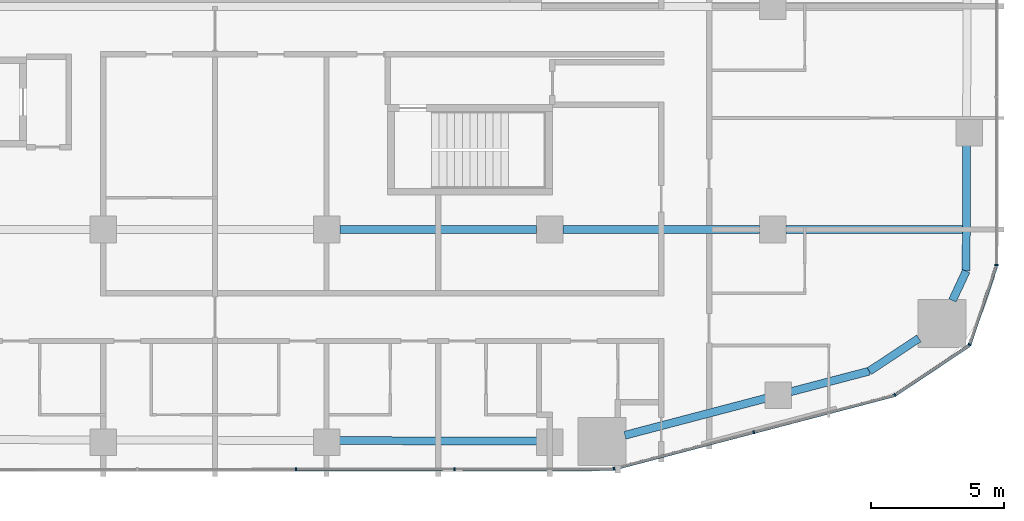
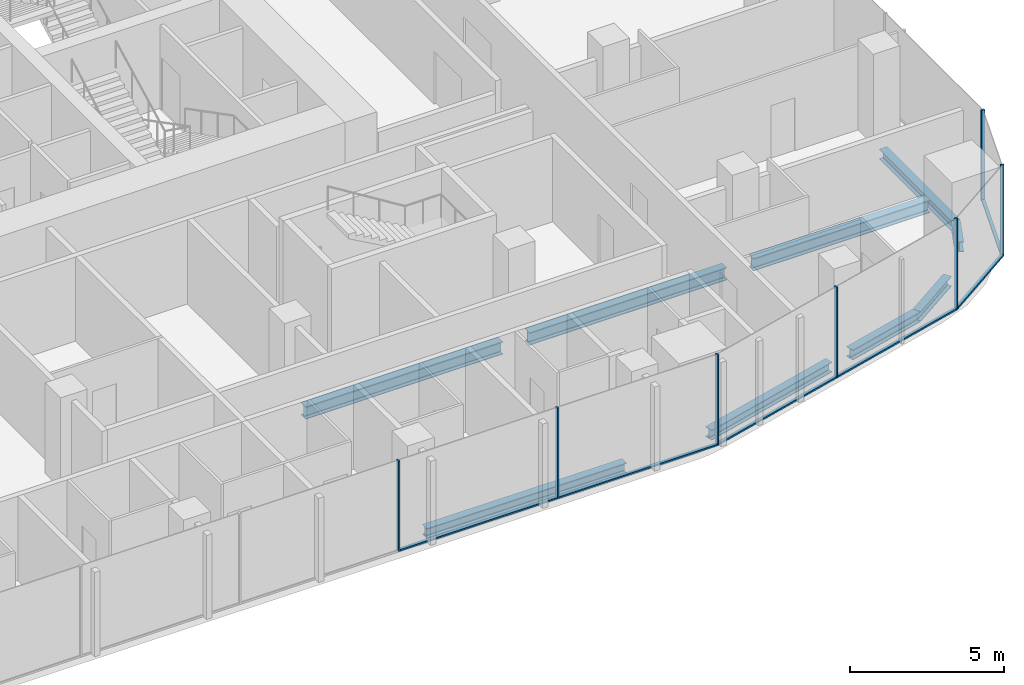
# One storey, part 6 of 26: 13 members, 9 beams, 5 elements without a shape of their own.
"""IFC4 building model written with IfcOpenShell, lengths in metres."""

from ifc_helpers import new_model, si_unit, direction, frame, origin, origin_2d, place, context, subcontext, project, spatial, rectangle, i_section, extrude, material, layer, layer_set, material_profile, profile_set, type_object, element, aggregate, save


model = new_model("IFC4")

# Units and contexts
model_context = context("Model", 3, precision=1e-05, world=origin(), true_north=direction((0.0, 1.0)))
body_context = subcontext(model_context, "Body", "Model", "MODEL_VIEW")
ifc_project = project(units=[si_unit("LENGTHUNIT", "METRE"), si_unit("AREAUNIT", "SQUARE_METRE"), si_unit("VOLUMEUNIT", "CUBIC_METRE"), si_unit("PLANEANGLEUNIT", "RADIAN"), si_unit("MASSUNIT", "GRAM", prefix="KILO")], contexts=[model_context])

# Site, building, storey
site_placement = place(None, origin())
site = spatial("IfcSite", under=ifc_project, at=site_placement, CompositionType="ELEMENT")
building_placement = place(site_placement, origin())
building = spatial("IfcBuilding", under=site, at=building_placement, Name="Marenta Gate Hotel Tower", CompositionType="ELEMENT")
storey_placement = place(building_placement, frame((0.0, 0.0, 43.699951171875)))
storey = spatial("IfcBuildingStorey", under=building, at=storey_placement, Name="L08", CompositionType="ELEMENT", Elevation=43.699951171875)

# Beams
ifc_material_1 = material(Name="Steel S355", Category="steel")
ifc_material_profile_1 = material_profile(ifc_material_1, i_section(OverallWidth=0.300048828125, OverallDepth=0.39990234375, WebThickness=0.013427734375, FlangeThickness=0.02392578125, FilletRadius=0.027099609375, at=origin_2d()), Name="HEB 400")
ifc_profile_set_1 = profile_set([ifc_material_profile_1], Name="Steel S355")
beam_type_1 = type_object("IfcBeamType", Name="Edge beam HEB 400", PredefinedType="SPANDREL", material=ifc_profile_set_1)
beam_1_placement = place(storey_placement, frame((28.291015625, -5.2119140625, -0.4599609375), z_axis=(-0.003337079684, -0.999994431934, 0.0), x_axis=(0.999994431934, -0.003337079684, 0.0)))
element("IfcBeam", 1, at=beam_1_placement, inside=storey, type_object=beam_type_1, Name="L08-EB-27", PredefinedType="SPANDREL", context=body_context, shape_type="SweptSolid", body=[
    extrude(i_section(OverallWidth=0.300048828125, OverallDepth=0.39990234375, WebThickness=0.013427734375, FlangeThickness=0.02392578125, FilletRadius=0.027099609375, at=origin_2d()), origin(), (0.0, 0.0, 1.0), 4.75537109375),
])
beam_2_placement = place(storey_placement, frame((28.275146484375, -9.96728515625, -0.4599609375), z_axis=(-0.423291965192, -0.905993329006, 0.0), x_axis=(0.905993329006, -0.423291965192, 0.0)))
element("IfcBeam", 2, at=beam_2_placement, inside=storey, type_object=beam_type_1, Name="L08-EB-28", PredefinedType="SPANDREL", context=body_context, shape_type="SweptSolid", body=[
    extrude(i_section(OverallWidth=0.300048828125, OverallDepth=0.39990234375, WebThickness=0.013427734375, FlangeThickness=0.02392578125, FilletRadius=0.027099609375, at=origin_2d()), origin(), (0.0, 0.0, 1.0), 1.21630859375),
])
beam_3_placement = place(storey_placement, frame((26.496337890625, -12.498291015625, -0.4599609375), z_axis=(-0.834510054819, -0.550992711754, 0.0), x_axis=(0.550992711754, -0.834510054819, 0.0)))
element("IfcBeam", 3, at=beam_3_placement, inside=storey, type_object=beam_type_1, Name="L08-EB-29", PredefinedType="SPANDREL", context=body_context, shape_type="SweptSolid", body=[
    extrude(i_section(OverallWidth=0.300048828125, OverallDepth=0.39990234375, WebThickness=0.013427734375, FlangeThickness=0.02392578125, FilletRadius=0.027099609375, at=origin_2d()), origin(), (0.0, 0.0, 1.0), 2.237060546875),
])
beam_4_placement = place(storey_placement, frame((24.62939453125, -13.73095703125, -0.4599609375), z_axis=(-0.967228272573, -0.253908386501, 0.0), x_axis=(0.253908386501, -0.967228272573, 0.0)))
element("IfcBeam", 4, at=beam_4_placement, inside=storey, type_object=beam_type_1, Name="L08-EB-30", PredefinedType="SPANDREL", context=body_context, shape_type="SweptSolid", body=[
    extrude(i_section(OverallWidth=0.300048828125, OverallDepth=0.39990234375, WebThickness=0.013427734375, FlangeThickness=0.02392578125, FilletRadius=0.027099609375, at=origin_2d()), origin(), (0.0, 0.0, 1.0), 3.0615234375),
])
beam_5_placement = place(storey_placement, frame((20.74560546875, -14.75048828125, -0.4599609375), z_axis=(-0.967231374294, -0.253896570638, 0.0), x_axis=(0.253896570638, -0.967231374294, 0.0)))
element("IfcBeam", 5, at=beam_5_placement, inside=storey, type_object=beam_type_1, Name="L08-EB-31", PredefinedType="SPANDREL", context=body_context, shape_type="SweptSolid", body=[
    extrude(i_section(OverallWidth=0.300048828125, OverallDepth=0.39990234375, WebThickness=0.013427734375, FlangeThickness=0.02392578125, FilletRadius=0.027099609375, at=origin_2d()), origin(), (0.0, 0.0, 1.0), 5.498291015625),
])
beam_6_placement = place(storey_placement, frame((12.139892578125, -16.365966796875, -0.4599609375), z_axis=(-0.99999624158, 0.002741683018, 0.0), x_axis=(-0.002741683018, -0.99999624158, 0.0)))
element("IfcBeam", 6, at=beam_6_placement, inside=storey, type_object=beam_type_1, Name="L08-EB-32", PredefinedType="SPANDREL", context=body_context, shape_type="SweptSolid", body=[
    extrude(i_section(OverallWidth=0.300048828125, OverallDepth=0.39990234375, WebThickness=0.013427734375, FlangeThickness=0.02392578125, FilletRadius=0.027099609375, at=origin_2d()), origin(), (0.0, 0.0, 1.0), 7.47998046875),
])
ifc_material_2 = material(Name="Steel S355", Category="steel")
ifc_material_profile_2 = material_profile(ifc_material_2, i_section(OverallWidth=0.300048828125, OverallDepth=0.5, WebThickness=0.014404296875, FlangeThickness=0.028076171875, FilletRadius=0.027099609375, at=origin_2d()), Name="HEB 500")
ifc_profile_set_2 = profile_set([ifc_material_profile_2], Name="Steel S355")
beam_type_2 = type_object("IfcBeamType", Name="Girder HEB 500", PredefinedType="BEAM", material=ifc_profile_set_2)
beam_7_placement = place(storey_placement, frame((4.699951171875, -8.39990234375, -0.510009765625), z_axis=(1.0, 0.0, 0.0), x_axis=(0.0, 1.0, 0.0)))
element("IfcBeam", 7, at=beam_7_placement, inside=storey, type_object=beam_type_2, Name="L08-GD-5", PredefinedType="BEAM", context=body_context, shape_type="SweptSolid", body=[
    extrude(i_section(OverallWidth=0.300048828125, OverallDepth=0.5, WebThickness=0.014404296875, FlangeThickness=0.028076171875, FilletRadius=0.027099609375, at=origin_2d()), origin(), (0.0, 0.0, 1.0), 7.400146484375),
])
beam_8_placement = place(storey_placement, frame((13.10009765625, -8.39990234375, -0.510009765625), z_axis=(1.0, 0.0, 0.0), x_axis=(0.0, 1.0, 0.0)))
element("IfcBeam", 8, at=beam_8_placement, inside=storey, type_object=beam_type_2, Name="L08-GD-6", PredefinedType="BEAM", context=body_context, shape_type="SweptSolid", body=[
    extrude(i_section(OverallWidth=0.300048828125, OverallDepth=0.5, WebThickness=0.014404296875, FlangeThickness=0.028076171875, FilletRadius=0.027099609375, at=origin_2d()), origin(), (0.0, 0.0, 1.0), 7.39990234375),
])
beam_9_placement = place(storey_placement, frame((21.5, -8.39990234375, -0.510009765625), z_axis=(1.0, 0.0, 0.0), x_axis=(0.0, 1.0, 0.0)))
element("IfcBeam", 9, at=beam_9_placement, inside=storey, type_object=beam_type_2, Name="L08-GD-7", PredefinedType="BEAM", context=body_context, shape_type="SweptSolid", body=[
    extrude(i_section(OverallWidth=0.300048828125, OverallDepth=0.5, WebThickness=0.014404296875, FlangeThickness=0.028076171875, FilletRadius=0.027099609375, at=origin_2d()), origin(), (0.0, 0.0, 1.0), 6.63037109375),
])

# Curtain wall, members
ifc_material_3 = material(Name="Tinted insulated glass in bronze anodised frame", Category="glass")
ifc_layer = layer(ifc_material_3, 0.1201171875)
ifc_layer_set = layer_set([ifc_layer], Name="Tinted insulated glass in bronze anodised frame")
curtain_wall_type = type_object("IfcCurtainWallType", Name="Tower unitised curtain wall CW1", PredefinedType="NOTDEFINED", material=ifc_layer_set)
curtain_wall_1_placement = place(storey_placement, origin())
curtain_wall_1 = element("IfcCurtainWall", 10, at=curtain_wall_1_placement, inside=storey, type_object=curtain_wall_type, Name="CW1 run G07", PredefinedType="NOTDEFINED")
ifc_material_4 = material(Name="Bronze anodised aluminium", Category="aluminium")
ifc_material_profile_3 = material_profile(ifc_material_4, rectangle(XDim=0.1201171875, YDim=0.06005859375, at=origin_2d()), Name="Mullion CW1 60x120 bronze anodised aluminium")
ifc_profile_set_3 = profile_set([ifc_material_profile_3], Name="Bronze anodised aluminium")
member_type_1 = type_object("IfcMemberType", Name="Mullion CW1 60x120 bronze anodised aluminium", PredefinedType="MULLION", material=ifc_profile_set_3)
member_1_placement = place(storey_placement, frame((3.048095703125, -17.427001953125, 0.0), z_axis=(0.0, 0.0, 1.0), x_axis=(-0.001161921639, 0.999999324969, 0.0)))
member_1 = element("IfcMember", 11, at=member_1_placement, type_object=member_type_1, Name="CW1 mullion 4", PredefinedType="MULLION", context=body_context, shape_type="SweptSolid", body=[
    extrude(rectangle(XDim=0.1201171875, YDim=0.06005859375, at=origin_2d()), origin(), (0.0, 0.0, 1.0), 3.60009765625),
])
member_2_placement = place(storey_placement, frame((9.020751953125, -17.419921875, 0.0), z_axis=(0.0, 0.0, 1.0), x_axis=(-0.001161921639, 0.999999324969, 0.0)))
member_2 = element("IfcMember", 12, at=member_2_placement, type_object=member_type_1, Name="CW1 mullion 5", PredefinedType="MULLION", context=body_context, shape_type="SweptSolid", body=[
    extrude(rectangle(XDim=0.1201171875, YDim=0.06005859375, at=origin_2d()), origin(), (0.0, 0.0, 1.0), 3.60009765625),
])

curtain_wall_2_placement = place(storey_placement, origin())
curtain_wall_2 = element("IfcCurtainWall", 13, at=curtain_wall_2_placement, inside=storey, type_object=curtain_wall_type, Name="CW1 run G08", PredefinedType="NOTDEFINED")
member_3_placement = place(storey_placement, frame((15.022705078125, -17.405517578125, 0.0), z_axis=(0.0, 0.0, 1.0), x_axis=(-0.25337182621, 0.967368966674, 0.0)))
member_3 = element("IfcMember", 14, at=member_3_placement, type_object=member_type_1, Name="CW1 mullion 1", PredefinedType="MULLION", context=body_context, shape_type="SweptSolid", body=[
    extrude(rectangle(XDim=0.1201171875, YDim=0.06005859375, at=origin_2d()), origin(), (0.0, 0.0, 1.0), 3.60009765625),
])
member_4_placement = place(storey_placement, frame((20.28076171875, -16.0283203125, 0.0), z_axis=(0.0, 0.0, 1.0), x_axis=(-0.25337182621, 0.967368966674, 0.0)))
member_4 = element("IfcMember", 15, at=member_4_placement, type_object=member_type_1, Name="CW1 mullion 2", PredefinedType="MULLION", context=body_context, shape_type="SweptSolid", body=[
    extrude(rectangle(XDim=0.1201171875, YDim=0.06005859375, at=origin_2d()), origin(), (0.0, 0.0, 1.0), 3.60009765625),
])

# Curtain wall, member
curtain_wall_3_placement = place(storey_placement, origin())
curtain_wall_3 = element("IfcCurtainWall", 16, at=curtain_wall_3_placement, inside=storey, type_object=curtain_wall_type, Name="CW1 run G09", PredefinedType="NOTDEFINED")
member_5_placement = place(storey_placement, frame((25.592529296875, -14.626953125, 0.0), z_axis=(0.0, 0.0, 1.0), x_axis=(-0.554034324326, 0.832493824282, 0.0)))
member_5 = element("IfcMember", 17, at=member_5_placement, type_object=member_type_1, Name="CW1 mullion 1", PredefinedType="MULLION", context=body_context, shape_type="SweptSolid", body=[
    extrude(rectangle(XDim=0.1201171875, YDim=0.06005859375, at=origin_2d()), origin(), (0.0, 0.0, 1.0), 3.60009765625),
])

curtain_wall_4_placement = place(storey_placement, origin())
curtain_wall_4 = element("IfcCurtainWall", 18, at=curtain_wall_4_placement, inside=storey, type_object=curtain_wall_type, Name="CW1 run G10", PredefinedType="NOTDEFINED")
member_6_placement = place(storey_placement, frame((28.405517578125, -12.73291015625, 0.0), z_axis=(0.0, 0.0, 1.0), x_axis=(-0.946729939312, 0.322028604337, 0.0)))
member_6 = element("IfcMember", 19, at=member_6_placement, type_object=member_type_1, Name="CW1 mullion 1", PredefinedType="MULLION", context=body_context, shape_type="SweptSolid", body=[
    extrude(rectangle(XDim=0.1201171875, YDim=0.06005859375, at=origin_2d()), origin(), (0.0, 0.0, 1.0), 3.60009765625),
])

curtain_wall_5_placement = place(storey_placement, origin())
curtain_wall_5 = element("IfcCurtainWall", 20, at=curtain_wall_5_placement, inside=storey, type_object=curtain_wall_type, Name="CW1 run G11", PredefinedType="NOTDEFINED")
member_7_placement = place(storey_placement, frame((29.4140625, -9.738037109375, 0.0), z_axis=(0.0, 0.0, 1.0), x_axis=(-1.0, 0.0, 0.0)))
member_7 = element("IfcMember", 21, at=member_7_placement, type_object=member_type_1, Name="CW1 mullion 1", PredefinedType="MULLION", context=body_context, shape_type="SweptSolid", body=[
    extrude(rectangle(XDim=0.1201171875, YDim=0.06005859375, at=origin_2d()), origin(), (0.0, 0.0, 1.0), 3.60009765625),
])
aggregate(curtain_wall_5, [member_7])

# Member
ifc_material_5 = material(Name="Bronze anodised aluminium", Category="aluminium")
ifc_material_profile_4 = material_profile(ifc_material_5, rectangle(XDim=0.1201171875, YDim=0.06005859375, at=origin_2d()), Name="Transom CW1 60x120 bronze anodised aluminium")
ifc_profile_set_4 = profile_set([ifc_material_profile_4], Name="Bronze anodised aluminium")
member_type_2 = type_object("IfcMemberType", Name="Transom CW1 60x120 bronze anodised aluminium", PredefinedType="USERDEFINED", material=ifc_profile_set_4)
member_8_placement = place(storey_placement, frame((3.077880859375, -17.427001953125, 0.030029296875), z_axis=(0.999999331697, 0.001156116326, 0.0), x_axis=(-0.001156116326, 0.999999331697, 0.0)))
member_8 = element("IfcMember", 22, at=member_8_placement, type_object=member_type_2, Name="CW1 transom 4.1", ObjectType="TRANSOM", PredefinedType="USERDEFINED", context=body_context, shape_type="SweptSolid", body=[
    extrude(rectangle(XDim=0.1201171875, YDim=0.06005859375, at=origin_2d()), origin(), (0.0, 0.0, 1.0), 5.912841796875),
])

member_9_placement = place(storey_placement, frame((9.05078125, -17.419921875, 0.030029296875), z_axis=(0.999999338434, 0.001150274483, 0.0), x_axis=(-0.001150274483, 0.999999338434, 0.0)))
member_9 = element("IfcMember", 23, at=member_9_placement, type_object=member_type_2, Name="CW1 transom 5.1", ObjectType="TRANSOM", PredefinedType="USERDEFINED", context=body_context, shape_type="SweptSolid", body=[
    extrude(rectangle(XDim=0.1201171875, YDim=0.06005859375, at=origin_2d()), origin(), (0.0, 0.0, 1.0), 5.94287109375),
])

aggregate(curtain_wall_1, [member_1, member_2, member_8, member_9])

member_10_placement = place(storey_placement, frame((15.0517578125, -17.39794921875, 0.030029296875), z_axis=(0.96736453676, 0.253388738935, 0.0), x_axis=(-0.253388738935, 0.96736453676, 0.0)))
member_10 = element("IfcMember", 24, at=member_10_placement, type_object=member_type_2, Name="CW1 transom 1.1", ObjectType="TRANSOM", PredefinedType="USERDEFINED", context=body_context, shape_type="SweptSolid", body=[
    extrude(rectangle(XDim=0.1201171875, YDim=0.06005859375, at=origin_2d()), origin(), (0.0, 0.0, 1.0), 5.37548828125),
])

member_11_placement = place(storey_placement, frame((20.3095703125, -16.020751953125, 0.030029296875), z_axis=(0.967368291574, 0.253374403713, 0.0), x_axis=(-0.253374403713, 0.967368291574, 0.0)))
member_11 = element("IfcMember", 25, at=member_11_placement, type_object=member_type_2, Name="CW1 transom 2.1", ObjectType="TRANSOM", PredefinedType="USERDEFINED", context=body_context, shape_type="SweptSolid", body=[
    extrude(rectangle(XDim=0.1201171875, YDim=0.06005859375, at=origin_2d()), origin(), (0.0, 0.0, 1.0), 5.435302734375),
])

aggregate(curtain_wall_2, [member_3, member_4, member_10, member_11])

member_12_placement = place(storey_placement, frame((25.617431640625, -14.6103515625, 0.030029296875), z_axis=(0.832511449854, 0.554007839169, 0.0), x_axis=(-0.554007839169, 0.832511449854, 0.0)))
member_12 = element("IfcMember", 26, at=member_12_placement, type_object=member_type_2, Name="CW1 transom 1.1", ObjectType="TRANSOM", PredefinedType="USERDEFINED", context=body_context, shape_type="SweptSolid", body=[
    extrude(rectangle(XDim=0.1201171875, YDim=0.06005859375, at=origin_2d()), origin(), (0.0, 0.0, 1.0), 3.337158203125),
])

aggregate(curtain_wall_3, [member_5, member_12])

member_13_placement = place(storey_placement, frame((28.4150390625, -12.70458984375, 0.030029296875), z_axis=(0.3220776996, 0.94671323822, 0.0), x_axis=(-0.94671323822, 0.3220776996, 0.0)))
member_13 = element("IfcMember", 27, at=member_13_placement, type_object=member_type_2, Name="CW1 transom 1.1", ObjectType="TRANSOM", PredefinedType="USERDEFINED", context=body_context, shape_type="SweptSolid", body=[
    extrude(rectangle(XDim=0.1201171875, YDim=0.06005859375, at=origin_2d()), origin(), (0.0, 0.0, 1.0), 3.101806640625),
])

aggregate(curtain_wall_4, [member_6, member_13])

save(model, "model.ifc")
